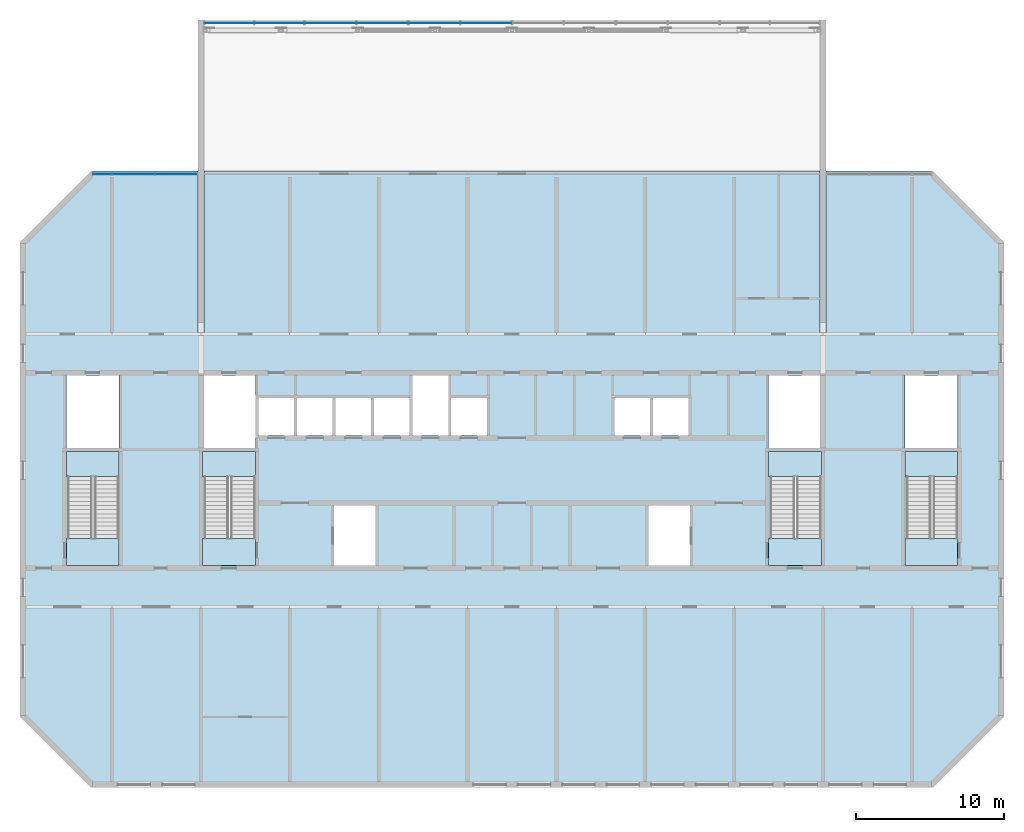
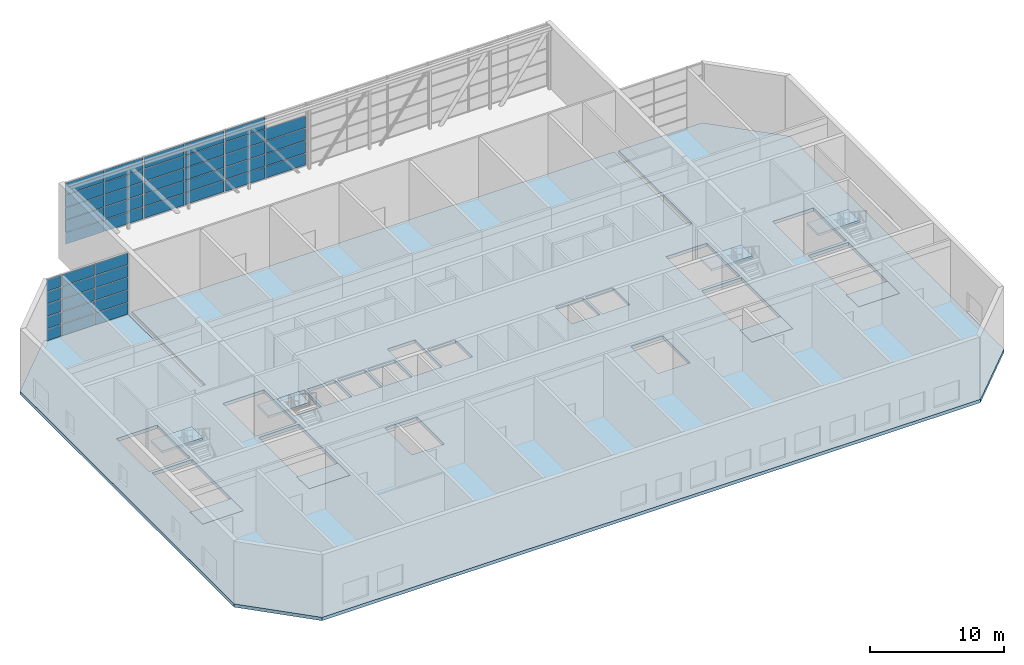
# One storey, part 6 of 17: 44 plates, 9 slabs, 9 elements without a shape of their own.
"""IFC4 building model written with IfcOpenShell, lengths in metres."""

from ifc_helpers import new_model, si_unit, direction, frame, origin, origin_2d, place, context, subcontext, project, spatial, polyline, rectangle, outline, extrude, source, transform, mapped, material, layer, layer_set, type_object, element, aggregate, save


model = new_model("IFC4")

# Units and contexts
model_context = context("Model", 3, precision=1e-05, world=origin(), true_north=direction((0.0, 1.0)))
body_context = subcontext(model_context, "Body", "Model", "MODEL_VIEW")
ifc_project = project(units=[si_unit("LENGTHUNIT", "METRE"), si_unit("AREAUNIT", "SQUARE_METRE"), si_unit("VOLUMEUNIT", "CUBIC_METRE"), si_unit("PLANEANGLEUNIT", "RADIAN"), si_unit("MASSUNIT", "GRAM", prefix="KILO")], contexts=[model_context])

# Site, building, storey
site_placement = place(None, origin())
site = spatial("IfcSite", under=ifc_project, at=site_placement, CompositionType="ELEMENT")
building_placement = place(site_placement, origin())
building = spatial("IfcBuilding", under=site, at=building_placement, Name="Poui Terraces", CompositionType="ELEMENT")
storey_placement = place(building_placement, frame((0.0, 0.0, 261.0)))
storey = spatial("IfcBuildingStorey", under=building, at=storey_placement, Name="L73", CompositionType="ELEMENT", Elevation=261.0)

# Curtain wall, plates
ifc_material_1 = material(Name="Clear glass", Category="glass")
ifc_layer_1 = layer(ifc_material_1, 0.219970703125)
ifc_layer_set_1 = layer_set([ifc_layer_1], Name="Clear glass")
curtain_wall_type = type_object("IfcCurtainWallType", Name="CURTAIN WALL CW-E SKY LOUNGE GLAZING", PredefinedType="NOTDEFINED", material=ifc_layer_set_1)
curtain_wall_1_placement = place(storey_placement, origin())
curtain_wall_1 = element("IfcCurtainWall", 1, at=curtain_wall_1_placement, inside=storey, type_object=curtain_wall_type, Name="CW-E SKY LOUNGE GLAZING", PredefinedType="NOTDEFINED")
ifc_layer_2 = layer(ifc_material_1, 0.035888671875)
ifc_layer_set_2 = layer_set([ifc_layer_2], Name="Clear glass")
plate_type_1 = type_object("IfcPlateType", Name="CW-E GLASS PANEL 36", PredefinedType="CURTAIN_PANEL", material=ifc_layer_set_2)
plate_1_placement = place(storey_placement, frame((23.34130859375, 41.199951171875, 0.06005859375), z_axis=(0.0, 0.0, 1.0), x_axis=(-1.0, 0.0, 0.0)))
plate_1 = element("IfcPlate", 2, at=plate_1_placement, type_object=plate_type_1, Name="CW-E panel 1.1", PredefinedType="CURTAIN_PANEL", context=body_context, shape_type="SweptSolid", body=[
    extrude(rectangle(XDim=1.197265625, YDim=0.035888671875, at=origin_2d()), origin(), (0.0, 0.0, 1.0), 1.050048828125),
])
plate_2_placement = place(storey_placement, frame((23.34130859375, 41.199951171875, 1.169921875), z_axis=(0.0, 0.0, 1.0), x_axis=(-1.0, 0.0, 0.0)))
plate_2 = element("IfcPlate", 3, at=plate_2_placement, type_object=plate_type_1, Name="CW-E panel 1.2", PredefinedType="CURTAIN_PANEL", context=body_context, shape_type="SweptSolid", body=[
    extrude(rectangle(XDim=1.197265625, YDim=0.035888671875, at=origin_2d()), origin(), (0.0, 0.0, 1.0), 1.080078125),
])
plate_3_placement = place(storey_placement, frame((23.34130859375, 41.199951171875, 2.31005859375), z_axis=(0.0, 0.0, 1.0), x_axis=(-1.0, 0.0, 0.0)))
plate_3 = element("IfcPlate", 4, at=plate_3_placement, type_object=plate_type_1, Name="CW-E panel 1.3", PredefinedType="CURTAIN_PANEL", context=body_context, shape_type="SweptSolid", body=[
    extrude(rectangle(XDim=1.197265625, YDim=0.035888671875, at=origin_2d()), origin(), (0.0, 0.0, 1.0), 1.080078125),
])
plate_4_placement = place(storey_placement, frame((23.34130859375, 41.199951171875, 3.449951171875), z_axis=(0.0, 0.0, 1.0), x_axis=(-1.0, 0.0, 0.0)))
plate_4 = element("IfcPlate", 5, at=plate_4_placement, type_object=plate_type_1, Name="CW-E panel 1.4", PredefinedType="CURTAIN_PANEL", context=body_context, shape_type="SweptSolid", body=[
    extrude(rectangle(XDim=1.197265625, YDim=0.035888671875, at=origin_2d()), origin(), (0.0, 0.0, 1.0), 1.080078125),
])
plate_5_placement = place(storey_placement, frame((23.34130859375, 41.199951171875, 4.58984375), z_axis=(0.0, 0.0, 1.0), x_axis=(-1.0, 0.0, 0.0)))
plate_5 = element("IfcPlate", 6, at=plate_5_placement, type_object=plate_type_1, Name="CW-E panel 1.5", PredefinedType="CURTAIN_PANEL", context=body_context, shape_type="SweptSolid", body=[
    extrude(rectangle(XDim=1.197265625, YDim=0.035888671875, at=origin_2d()), origin(), (0.0, 0.0, 1.0), 1.050048828125),
])
aggregate(curtain_wall_1, [plate_1, plate_2, plate_3, plate_4, plate_5])

curtain_wall_2_placement = place(storey_placement, origin())
curtain_wall_2 = element("IfcCurtainWall", 7, at=curtain_wall_2_placement, inside=storey, type_object=curtain_wall_type, Name="CW-E SKY LOUNGE GLAZING", PredefinedType="NOTDEFINED")
plate_6_placement = place(storey_placement, frame((28.3349609375, 41.199951171875, 0.06005859375), z_axis=(0.0, 0.0, 1.0), x_axis=(-1.0, 0.0, 0.0)))
plate_6 = element("IfcPlate", 8, at=plate_6_placement, type_object=plate_type_1, Name="CW-E panel 1.1", PredefinedType="CURTAIN_PANEL", context=body_context, shape_type="SweptSolid", body=[
    extrude(rectangle(XDim=2.81005859375, YDim=0.035888671875, at=origin_2d()), origin(), (0.0, 0.0, 1.0), 1.050048828125),
])
plate_7_placement = place(storey_placement, frame((28.3349609375, 41.199951171875, 1.169921875), z_axis=(0.0, 0.0, 1.0), x_axis=(-1.0, 0.0, 0.0)))
plate_7 = element("IfcPlate", 9, at=plate_7_placement, type_object=plate_type_1, Name="CW-E panel 1.2", PredefinedType="CURTAIN_PANEL", context=body_context, shape_type="SweptSolid", body=[
    extrude(rectangle(XDim=2.81005859375, YDim=0.035888671875, at=origin_2d()), origin(), (0.0, 0.0, 1.0), 1.080078125),
])
plate_8_placement = place(storey_placement, frame((28.3349609375, 41.199951171875, 2.31005859375), z_axis=(0.0, 0.0, 1.0), x_axis=(-1.0, 0.0, 0.0)))
plate_8 = element("IfcPlate", 10, at=plate_8_placement, type_object=plate_type_1, Name="CW-E panel 1.3", PredefinedType="CURTAIN_PANEL", context=body_context, shape_type="SweptSolid", body=[
    extrude(rectangle(XDim=2.81005859375, YDim=0.035888671875, at=origin_2d()), origin(), (0.0, 0.0, 1.0), 1.080078125),
])
plate_9_placement = place(storey_placement, frame((28.3349609375, 41.199951171875, 3.449951171875), z_axis=(0.0, 0.0, 1.0), x_axis=(-1.0, 0.0, 0.0)))
plate_9 = element("IfcPlate", 11, at=plate_9_placement, type_object=plate_type_1, Name="CW-E panel 1.4", PredefinedType="CURTAIN_PANEL", context=body_context, shape_type="SweptSolid", body=[
    extrude(rectangle(XDim=2.81005859375, YDim=0.035888671875, at=origin_2d()), origin(), (0.0, 0.0, 1.0), 1.080078125),
])
plate_10_placement = place(storey_placement, frame((28.3349609375, 41.199951171875, 4.58984375), z_axis=(0.0, 0.0, 1.0), x_axis=(-1.0, 0.0, 0.0)))
plate_10 = element("IfcPlate", 12, at=plate_10_placement, type_object=plate_type_1, Name="CW-E panel 1.5", PredefinedType="CURTAIN_PANEL", context=body_context, shape_type="SweptSolid", body=[
    extrude(rectangle(XDim=2.81005859375, YDim=0.035888671875, at=origin_2d()), origin(), (0.0, 0.0, 1.0), 1.050048828125),
])
plate_11_placement = place(storey_placement, frame((25.465087890625, 41.199951171875, 0.06005859375), z_axis=(0.0, 0.0, 1.0), x_axis=(-1.0, 0.0, 0.0)))
plate_11 = element("IfcPlate", 13, at=plate_11_placement, type_object=plate_type_1, Name="CW-E panel 2.1", PredefinedType="CURTAIN_PANEL", context=body_context, shape_type="SweptSolid", body=[
    extrude(rectangle(XDim=2.81005859375, YDim=0.035888671875, at=origin_2d()), origin(), (0.0, 0.0, 1.0), 1.050048828125),
])
plate_12_placement = place(storey_placement, frame((25.465087890625, 41.199951171875, 1.169921875), z_axis=(0.0, 0.0, 1.0), x_axis=(-1.0, 0.0, 0.0)))
plate_12 = element("IfcPlate", 14, at=plate_12_placement, type_object=plate_type_1, Name="CW-E panel 2.2", PredefinedType="CURTAIN_PANEL", context=body_context, shape_type="SweptSolid", body=[
    extrude(rectangle(XDim=2.81005859375, YDim=0.035888671875, at=origin_2d()), origin(), (0.0, 0.0, 1.0), 1.080078125),
])
plate_13_placement = place(storey_placement, frame((25.465087890625, 41.199951171875, 2.31005859375), z_axis=(0.0, 0.0, 1.0), x_axis=(-1.0, 0.0, 0.0)))
plate_13 = element("IfcPlate", 15, at=plate_13_placement, type_object=plate_type_1, Name="CW-E panel 2.3", PredefinedType="CURTAIN_PANEL", context=body_context, shape_type="SweptSolid", body=[
    extrude(rectangle(XDim=2.81005859375, YDim=0.035888671875, at=origin_2d()), origin(), (0.0, 0.0, 1.0), 1.080078125),
])
plate_14_placement = place(storey_placement, frame((25.465087890625, 41.199951171875, 3.449951171875), z_axis=(0.0, 0.0, 1.0), x_axis=(-1.0, 0.0, 0.0)))
plate_14 = element("IfcPlate", 16, at=plate_14_placement, type_object=plate_type_1, Name="CW-E panel 2.4", PredefinedType="CURTAIN_PANEL", context=body_context, shape_type="SweptSolid", body=[
    extrude(rectangle(XDim=2.81005859375, YDim=0.035888671875, at=origin_2d()), origin(), (0.0, 0.0, 1.0), 1.080078125),
])
plate_15_placement = place(storey_placement, frame((25.465087890625, 41.199951171875, 4.58984375), z_axis=(0.0, 0.0, 1.0), x_axis=(-1.0, 0.0, 0.0)))
plate_15 = element("IfcPlate", 17, at=plate_15_placement, type_object=plate_type_1, Name="CW-E panel 2.5", PredefinedType="CURTAIN_PANEL", context=body_context, shape_type="SweptSolid", body=[
    extrude(rectangle(XDim=2.81005859375, YDim=0.035888671875, at=origin_2d()), origin(), (0.0, 0.0, 1.0), 1.050048828125),
])
aggregate(curtain_wall_2, [plate_6, plate_7, plate_8, plate_9, plate_10, plate_11, plate_12, plate_13, plate_14, plate_15])

curtain_wall_3_placement = place(storey_placement, origin())
curtain_wall_3 = element("IfcCurtainWall", 18, at=curtain_wall_3_placement, inside=storey, type_object=curtain_wall_type, Name="CW-E SKY LOUNGE GLAZING", PredefinedType="NOTDEFINED")
plate_16_placement = place(storey_placement, frame((31.9150390625, 51.39990234375, 0.06005859375), z_axis=(0.0, 0.0, 1.0), x_axis=(1.0, 0.0, 0.0)))
plate_16 = element("IfcPlate", 19, at=plate_16_placement, type_object=plate_type_1, Name="CW-E panel 1.1", PredefinedType="CURTAIN_PANEL", context=body_context, shape_type="SweptSolid", body=[
    extrude(rectangle(XDim=3.31005859375, YDim=0.035888671875, at=origin_2d()), origin(), (0.0, 0.0, 1.0), 1.050048828125),
])
plate_17_placement = place(storey_placement, frame((35.284912109375, 51.39990234375, 1.169921875), z_axis=(0.0, 0.0, 1.0), x_axis=(1.0, 0.0, 0.0)))
plate_17 = element("IfcPlate", 20, at=plate_17_placement, type_object=plate_type_1, Name="CW-E panel 2.2", PredefinedType="CURTAIN_PANEL", context=body_context, shape_type="SweptSolid", body=[
    extrude(rectangle(XDim=3.31005859375, YDim=0.035888671875, at=origin_2d()), origin(), (0.0, 0.0, 1.0), 1.080078125),
])
plate_18_placement = place(storey_placement, frame((35.284912109375, 51.39990234375, 2.31005859375), z_axis=(0.0, 0.0, 1.0), x_axis=(1.0, 0.0, 0.0)))
plate_18 = element("IfcPlate", 21, at=plate_18_placement, type_object=plate_type_1, Name="CW-E panel 2.3", PredefinedType="CURTAIN_PANEL", context=body_context, shape_type="SweptSolid", body=[
    extrude(rectangle(XDim=3.31005859375, YDim=0.035888671875, at=origin_2d()), origin(), (0.0, 0.0, 1.0), 1.080078125),
])

curtain_wall_4_placement = place(storey_placement, origin())
curtain_wall_4 = element("IfcCurtainWall", 22, at=curtain_wall_4_placement, inside=storey, type_object=curtain_wall_type, Name="CW-E SKY LOUNGE GLAZING", PredefinedType="NOTDEFINED")
plate_19_placement = place(storey_placement, frame((38.764892578125, 51.39990234375, 3.449951171875), z_axis=(0.0, 0.0, 1.0), x_axis=(1.0, 0.0, 0.0)))
plate_19 = element("IfcPlate", 23, at=plate_19_placement, type_object=plate_type_1, Name="CW-E panel 1.4", PredefinedType="CURTAIN_PANEL", context=body_context, shape_type="SweptSolid", body=[
    extrude(rectangle(XDim=3.409912109375, YDim=0.035888671875, at=origin_2d()), origin(), (0.0, 0.0, 1.0), 1.080078125),
])
plate_20_placement = place(storey_placement, frame((38.764892578125, 51.39990234375, 4.58984375), z_axis=(0.0, 0.0, 1.0), x_axis=(1.0, 0.0, 0.0)))
plate_20 = element("IfcPlate", 24, at=plate_20_placement, type_object=plate_type_1, Name="CW-E panel 1.5", PredefinedType="CURTAIN_PANEL", context=body_context, shape_type="SweptSolid", body=[
    extrude(rectangle(XDim=3.409912109375, YDim=0.035888671875, at=origin_2d()), origin(), (0.0, 0.0, 1.0), 1.050048828125),
])
plate_21_placement = place(storey_placement, frame((42.235107421875, 51.39990234375, 0.06005859375), z_axis=(0.0, 0.0, 1.0), x_axis=(1.0, 0.0, 0.0)))
plate_21 = element("IfcPlate", 25, at=plate_21_placement, type_object=plate_type_1, Name="CW-E panel 2.1", PredefinedType="CURTAIN_PANEL", context=body_context, shape_type="SweptSolid", body=[
    extrude(rectangle(XDim=3.409912109375, YDim=0.035888671875, at=origin_2d()), origin(), (0.0, 0.0, 1.0), 1.050048828125),
])

curtain_wall_5_placement = place(storey_placement, origin())
curtain_wall_5 = element("IfcCurtainWall", 26, at=curtain_wall_5_placement, inside=storey, type_object=curtain_wall_type, Name="CW-E SKY LOUNGE GLAZING", PredefinedType="NOTDEFINED")
plate_22_placement = place(storey_placement, frame((45.764892578125, 51.39990234375, 1.169921875), z_axis=(0.0, 0.0, 1.0), x_axis=(1.0, 0.0, 0.0)))
plate_22 = element("IfcPlate", 27, at=plate_22_placement, type_object=plate_type_1, Name="CW-E panel 1.2", PredefinedType="CURTAIN_PANEL", context=body_context, shape_type="SweptSolid", body=[
    extrude(rectangle(XDim=3.409912109375, YDim=0.035888671875, at=origin_2d()), origin(), (0.0, 0.0, 1.0), 1.080078125),
])
plate_23_placement = place(storey_placement, frame((45.764892578125, 51.39990234375, 2.31005859375), z_axis=(0.0, 0.0, 1.0), x_axis=(1.0, 0.0, 0.0)))
plate_23 = element("IfcPlate", 28, at=plate_23_placement, type_object=plate_type_1, Name="CW-E panel 1.3", PredefinedType="CURTAIN_PANEL", context=body_context, shape_type="SweptSolid", body=[
    extrude(rectangle(XDim=3.409912109375, YDim=0.035888671875, at=origin_2d()), origin(), (0.0, 0.0, 1.0), 1.080078125),
])
plate_24_placement = place(storey_placement, frame((49.235107421875, 51.39990234375, 3.449951171875), z_axis=(0.0, 0.0, 1.0), x_axis=(1.0, 0.0, 0.0)))
plate_24 = element("IfcPlate", 29, at=plate_24_placement, type_object=plate_type_1, Name="CW-E panel 2.4", PredefinedType="CURTAIN_PANEL", context=body_context, shape_type="SweptSolid", body=[
    extrude(rectangle(XDim=3.409912109375, YDim=0.035888671875, at=origin_2d()), origin(), (0.0, 0.0, 1.0), 1.080078125),
])

# Plate
ifc_material_2 = material(Name="Insulated aluminium panel", Category="aluminium")
ifc_layer_3 = layer(ifc_material_2, 0.06005859375)
ifc_layer_set_3 = layer_set([ifc_layer_3], Name="Insulated aluminium panel")
plate_type_2 = type_object("IfcPlateType", Name="CW-E INSULATED PANEL 60", PredefinedType="CURTAIN_PANEL", material=ifc_layer_set_3)
plate_25_placement = place(storey_placement, frame((31.9150390625, 51.39990234375, 1.169921875), z_axis=(0.0, 0.0, 1.0), x_axis=(1.0, 0.0, 0.0)))
plate_25 = element("IfcPlate", 30, at=plate_25_placement, type_object=plate_type_2, Name="CW-E insulated panel 1.2", PredefinedType="CURTAIN_PANEL", context=body_context, shape_type="SweptSolid", body=[
    extrude(rectangle(XDim=3.31005859375, YDim=0.06005859375, at=origin_2d()), origin(), (0.0, 0.0, 1.0), 1.080078125),
])

plate_26_placement = place(storey_placement, frame((31.9150390625, 51.39990234375, 2.31005859375), z_axis=(0.0, 0.0, 1.0), x_axis=(1.0, 0.0, 0.0)))
plate_26 = element("IfcPlate", 31, at=plate_26_placement, type_object=plate_type_2, Name="CW-E insulated panel 1.3", PredefinedType="CURTAIN_PANEL", context=body_context, shape_type="SweptSolid", body=[
    extrude(rectangle(XDim=3.31005859375, YDim=0.06005859375, at=origin_2d()), origin(), (0.0, 0.0, 1.0), 1.080078125),
])

plate_27_placement = place(storey_placement, frame((31.9150390625, 51.39990234375, 3.449951171875), z_axis=(0.0, 0.0, 1.0), x_axis=(1.0, 0.0, 0.0)))
plate_27 = element("IfcPlate", 32, at=plate_27_placement, type_object=plate_type_2, Name="CW-E insulated panel 1.4", PredefinedType="CURTAIN_PANEL", context=body_context, shape_type="SweptSolid", body=[
    extrude(rectangle(XDim=3.31005859375, YDim=0.06005859375, at=origin_2d()), origin(), (0.0, 0.0, 1.0), 1.080078125),
])

plate_28_placement = place(storey_placement, frame((31.9150390625, 51.39990234375, 4.58984375), z_axis=(0.0, 0.0, 1.0), x_axis=(1.0, 0.0, 0.0)))
plate_28 = element("IfcPlate", 33, at=plate_28_placement, type_object=plate_type_2, Name="CW-E insulated panel 1.5", PredefinedType="CURTAIN_PANEL", context=body_context, shape_type="SweptSolid", body=[
    extrude(rectangle(XDim=3.31005859375, YDim=0.06005859375, at=origin_2d()), origin(), (0.0, 0.0, 1.0), 1.050048828125),
])

plate_29_placement = place(storey_placement, frame((35.284912109375, 51.39990234375, 0.06005859375), z_axis=(0.0, 0.0, 1.0), x_axis=(1.0, 0.0, 0.0)))
plate_29 = element("IfcPlate", 34, at=plate_29_placement, type_object=plate_type_2, Name="CW-E insulated panel 2.1", PredefinedType="CURTAIN_PANEL", context=body_context, shape_type="SweptSolid", body=[
    extrude(rectangle(XDim=3.31005859375, YDim=0.06005859375, at=origin_2d()), origin(), (0.0, 0.0, 1.0), 1.050048828125),
])

plate_30_placement = place(storey_placement, frame((35.284912109375, 51.39990234375, 3.449951171875), z_axis=(0.0, 0.0, 1.0), x_axis=(1.0, 0.0, 0.0)))
plate_30 = element("IfcPlate", 35, at=plate_30_placement, type_object=plate_type_2, Name="CW-E insulated panel 2.4", PredefinedType="CURTAIN_PANEL", context=body_context, shape_type="SweptSolid", body=[
    extrude(rectangle(XDim=3.31005859375, YDim=0.06005859375, at=origin_2d()), origin(), (0.0, 0.0, 1.0), 1.080078125),
])

plate_31_placement = place(storey_placement, frame((35.284912109375, 51.39990234375, 4.58984375), z_axis=(0.0, 0.0, 1.0), x_axis=(1.0, 0.0, 0.0)))
plate_31 = element("IfcPlate", 36, at=plate_31_placement, type_object=plate_type_2, Name="CW-E insulated panel 2.5", PredefinedType="CURTAIN_PANEL", context=body_context, shape_type="SweptSolid", body=[
    extrude(rectangle(XDim=3.31005859375, YDim=0.06005859375, at=origin_2d()), origin(), (0.0, 0.0, 1.0), 1.050048828125),
])

aggregate(curtain_wall_3, [plate_16, plate_25, plate_26, plate_27, plate_28, plate_29, plate_17, plate_18, plate_30, plate_31])

plate_32_placement = place(storey_placement, frame((38.764892578125, 51.39990234375, 0.06005859375), z_axis=(0.0, 0.0, 1.0), x_axis=(1.0, 0.0, 0.0)))
plate_32 = element("IfcPlate", 37, at=plate_32_placement, type_object=plate_type_2, Name="CW-E insulated panel 1.1", PredefinedType="CURTAIN_PANEL", context=body_context, shape_type="SweptSolid", body=[
    extrude(rectangle(XDim=3.409912109375, YDim=0.06005859375, at=origin_2d()), origin(), (0.0, 0.0, 1.0), 1.050048828125),
])

plate_33_placement = place(storey_placement, frame((38.764892578125, 51.39990234375, 1.169921875), z_axis=(0.0, 0.0, 1.0), x_axis=(1.0, 0.0, 0.0)))
plate_33 = element("IfcPlate", 38, at=plate_33_placement, type_object=plate_type_2, Name="CW-E insulated panel 1.2", PredefinedType="CURTAIN_PANEL", context=body_context, shape_type="SweptSolid", body=[
    extrude(rectangle(XDim=3.409912109375, YDim=0.06005859375, at=origin_2d()), origin(), (0.0, 0.0, 1.0), 1.080078125),
])

plate_34_placement = place(storey_placement, frame((38.764892578125, 51.39990234375, 2.31005859375), z_axis=(0.0, 0.0, 1.0), x_axis=(1.0, 0.0, 0.0)))
plate_34 = element("IfcPlate", 39, at=plate_34_placement, type_object=plate_type_2, Name="CW-E insulated panel 1.3", PredefinedType="CURTAIN_PANEL", context=body_context, shape_type="SweptSolid", body=[
    extrude(rectangle(XDim=3.409912109375, YDim=0.06005859375, at=origin_2d()), origin(), (0.0, 0.0, 1.0), 1.080078125),
])

plate_35_placement = place(storey_placement, frame((42.235107421875, 51.39990234375, 1.169921875), z_axis=(0.0, 0.0, 1.0), x_axis=(1.0, 0.0, 0.0)))
plate_35 = element("IfcPlate", 40, at=plate_35_placement, type_object=plate_type_2, Name="CW-E insulated panel 2.2", PredefinedType="CURTAIN_PANEL", context=body_context, shape_type="SweptSolid", body=[
    extrude(rectangle(XDim=3.409912109375, YDim=0.06005859375, at=origin_2d()), origin(), (0.0, 0.0, 1.0), 1.080078125),
])

plate_36_placement = place(storey_placement, frame((42.235107421875, 51.39990234375, 2.31005859375), z_axis=(0.0, 0.0, 1.0), x_axis=(1.0, 0.0, 0.0)))
plate_36 = element("IfcPlate", 41, at=plate_36_placement, type_object=plate_type_2, Name="CW-E insulated panel 2.3", PredefinedType="CURTAIN_PANEL", context=body_context, shape_type="SweptSolid", body=[
    extrude(rectangle(XDim=3.409912109375, YDim=0.06005859375, at=origin_2d()), origin(), (0.0, 0.0, 1.0), 1.080078125),
])

plate_37_placement = place(storey_placement, frame((42.235107421875, 51.39990234375, 3.449951171875), z_axis=(0.0, 0.0, 1.0), x_axis=(1.0, 0.0, 0.0)))
plate_37 = element("IfcPlate", 42, at=plate_37_placement, type_object=plate_type_2, Name="CW-E insulated panel 2.4", PredefinedType="CURTAIN_PANEL", context=body_context, shape_type="SweptSolid", body=[
    extrude(rectangle(XDim=3.409912109375, YDim=0.06005859375, at=origin_2d()), origin(), (0.0, 0.0, 1.0), 1.080078125),
])

plate_38_placement = place(storey_placement, frame((42.235107421875, 51.39990234375, 4.58984375), z_axis=(0.0, 0.0, 1.0), x_axis=(1.0, 0.0, 0.0)))
plate_38 = element("IfcPlate", 43, at=plate_38_placement, type_object=plate_type_2, Name="CW-E insulated panel 2.5", PredefinedType="CURTAIN_PANEL", context=body_context, shape_type="SweptSolid", body=[
    extrude(rectangle(XDim=3.409912109375, YDim=0.06005859375, at=origin_2d()), origin(), (0.0, 0.0, 1.0), 1.050048828125),
])

aggregate(curtain_wall_4, [plate_32, plate_33, plate_34, plate_19, plate_20, plate_21, plate_35, plate_36, plate_37, plate_38])

plate_39_placement = place(storey_placement, frame((45.764892578125, 51.39990234375, 0.06005859375), z_axis=(0.0, 0.0, 1.0), x_axis=(1.0, 0.0, 0.0)))
plate_39 = element("IfcPlate", 44, at=plate_39_placement, type_object=plate_type_2, Name="CW-E insulated panel 1.1", PredefinedType="CURTAIN_PANEL", context=body_context, shape_type="SweptSolid", body=[
    extrude(rectangle(XDim=3.409912109375, YDim=0.06005859375, at=origin_2d()), origin(), (0.0, 0.0, 1.0), 1.050048828125),
])

plate_40_placement = place(storey_placement, frame((45.764892578125, 51.39990234375, 3.449951171875), z_axis=(0.0, 0.0, 1.0), x_axis=(1.0, 0.0, 0.0)))
plate_40 = element("IfcPlate", 45, at=plate_40_placement, type_object=plate_type_2, Name="CW-E insulated panel 1.4", PredefinedType="CURTAIN_PANEL", context=body_context, shape_type="SweptSolid", body=[
    extrude(rectangle(XDim=3.409912109375, YDim=0.06005859375, at=origin_2d()), origin(), (0.0, 0.0, 1.0), 1.080078125),
])

plate_41_placement = place(storey_placement, frame((45.764892578125, 51.39990234375, 4.58984375), z_axis=(0.0, 0.0, 1.0), x_axis=(1.0, 0.0, 0.0)))
plate_41 = element("IfcPlate", 46, at=plate_41_placement, type_object=plate_type_2, Name="CW-E insulated panel 1.5", PredefinedType="CURTAIN_PANEL", context=body_context, shape_type="SweptSolid", body=[
    extrude(rectangle(XDim=3.409912109375, YDim=0.06005859375, at=origin_2d()), origin(), (0.0, 0.0, 1.0), 1.050048828125),
])

plate_42_placement = place(storey_placement, frame((49.235107421875, 51.39990234375, 0.06005859375), z_axis=(0.0, 0.0, 1.0), x_axis=(1.0, 0.0, 0.0)))
plate_42 = element("IfcPlate", 47, at=plate_42_placement, type_object=plate_type_2, Name="CW-E insulated panel 2.1", PredefinedType="CURTAIN_PANEL", context=body_context, shape_type="SweptSolid", body=[
    extrude(rectangle(XDim=3.409912109375, YDim=0.06005859375, at=origin_2d()), origin(), (0.0, 0.0, 1.0), 1.050048828125),
])

plate_43_placement = place(storey_placement, frame((49.235107421875, 51.39990234375, 1.169921875), z_axis=(0.0, 0.0, 1.0), x_axis=(1.0, 0.0, 0.0)))
plate_43 = element("IfcPlate", 48, at=plate_43_placement, type_object=plate_type_2, Name="CW-E insulated panel 2.2", PredefinedType="CURTAIN_PANEL", context=body_context, shape_type="SweptSolid", body=[
    extrude(rectangle(XDim=3.409912109375, YDim=0.06005859375, at=origin_2d()), origin(), (0.0, 0.0, 1.0), 1.080078125),
])

plate_44_placement = place(storey_placement, frame((49.235107421875, 51.39990234375, 2.31005859375), z_axis=(0.0, 0.0, 1.0), x_axis=(1.0, 0.0, 0.0)))
plate_44 = element("IfcPlate", 49, at=plate_44_placement, type_object=plate_type_2, Name="CW-E insulated panel 2.3", PredefinedType="CURTAIN_PANEL", context=body_context, shape_type="SweptSolid", body=[
    extrude(rectangle(XDim=3.409912109375, YDim=0.06005859375, at=origin_2d()), origin(), (0.0, 0.0, 1.0), 1.080078125),
])

aggregate(curtain_wall_5, [plate_39, plate_22, plate_23, plate_40, plate_41, plate_42, plate_43, plate_44, plate_24])

# Stair, slabs
ifc_material_3 = material(Name="Concrete 50 MPa", Category="concrete")
stair_type = type_object("IfcStairType", Name="EXIT STAIR 1650 50 MPA", PredefinedType="HALF_TURN_STAIR", material=ifc_material_3)
stair_1_placement = place(storey_placement, origin())
stair_1 = element("IfcStair", 50, at=stair_1_placement, inside=storey, type_object=stair_type, Name="L73 CORE STAIR EAST", PredefinedType="HALF_TURN_STAIR")
ifc_layer_4 = layer(ifc_material_3, 0.199951171875)
ifc_layer_set_4 = layer_set([ifc_layer_4], Name="Concrete 50 MPa")
slab_type_1 = type_object("IfcSlabType", Name="STAIR LANDING 200 50 MPA", PredefinedType="LANDING", material=ifc_layer_set_4)
slab_1_placement = place(storey_placement, frame((0.0, 0.0, 2.7998046875)))
slab_1 = element("IfcSlab", 51, at=slab_1_placement, type_object=slab_type_1, Name="ST-CE landing 1", PredefinedType="LANDING", context=body_context, shape_type="SweptSolid", body=[
    extrude(outline(polyline([(68.324951171875, 20.800048828125), (71.875, 20.800048828125), (71.875, 22.47509765625), (68.324951171875, 22.47509765625), (68.324951171875, 20.800048828125)])), origin(), (0.0, 0.0, 1.0), 0.2001953125),
])
slab_2_placement = place(storey_placement, frame((0.0, 0.0, -0.2001953125)))
slab_2 = element("IfcSlab", 52, at=slab_2_placement, type_object=slab_type_1, Name="ST-CE landing 2", PredefinedType="LANDING", context=body_context, shape_type="SweptSolid", body=[
    extrude(outline(polyline([(68.324951171875, 14.77490234375), (71.875, 14.77490234375), (71.875, 16.60009765625), (68.324951171875, 16.60009765625), (68.324951171875, 14.77490234375)])), origin(), (0.0, 0.0, 1.0), 0.2001953125),
])
aggregate(stair_1, [slab_1, slab_2])

stair_2_placement = place(storey_placement, origin())
stair_2 = element("IfcStair", 53, at=stair_2_placement, inside=storey, type_object=stair_type, Name="L73 CORE STAIR WEST", PredefinedType="HALF_TURN_STAIR")
slab_3_placement = place(storey_placement, frame((0.0, 0.0, 2.7998046875)))
slab_3 = element("IfcSlab", 54, at=slab_3_placement, type_object=slab_type_1, Name="ST-CW landing 1", PredefinedType="LANDING", context=body_context, shape_type="SweptSolid", body=[
    extrude(outline(polyline([(30.125, 20.800048828125), (33.675048828125, 20.800048828125), (33.675048828125, 22.47509765625), (30.125, 22.47509765625), (30.125, 20.800048828125)])), origin(), (0.0, 0.0, 1.0), 0.2001953125),
])
slab_4_placement = place(storey_placement, frame((0.0, 0.0, -0.2001953125)))
slab_4 = element("IfcSlab", 55, at=slab_4_placement, type_object=slab_type_1, Name="ST-CW landing 2", PredefinedType="LANDING", context=body_context, shape_type="SweptSolid", body=[
    extrude(outline(polyline([(30.125, 14.77490234375), (33.675048828125, 14.77490234375), (33.675048828125, 16.60009765625), (30.125, 16.60009765625), (30.125, 14.77490234375)])), origin(), (0.0, 0.0, 1.0), 0.2001953125),
])
aggregate(stair_2, [slab_3, slab_4])

stair_3_placement = place(storey_placement, origin())
stair_3 = element("IfcStair", 56, at=stair_3_placement, inside=storey, type_object=stair_type, Name="L73 TIP STAIR EAST", PredefinedType="HALF_TURN_STAIR")
slab_5_placement = place(storey_placement, frame((0.0, 0.0, 2.7998046875)))
slab_5 = element("IfcSlab", 57, at=slab_5_placement, type_object=slab_type_1, Name="ST-E landing 1", PredefinedType="LANDING", context=body_context, shape_type="SweptSolid", body=[
    extrude(outline(polyline([(77.52490234375, 20.800048828125), (81.074951171875, 20.800048828125), (81.074951171875, 22.47509765625), (77.52490234375, 22.47509765625), (77.52490234375, 20.800048828125)])), origin(), (0.0, 0.0, 1.0), 0.2001953125),
])
slab_6_placement = place(storey_placement, frame((0.0, 0.0, -0.2001953125)))
slab_6 = element("IfcSlab", 58, at=slab_6_placement, type_object=slab_type_1, Name="ST-E landing 2", PredefinedType="LANDING", context=body_context, shape_type="SweptSolid", body=[
    extrude(outline(polyline([(77.52490234375, 14.77490234375), (81.074951171875, 14.77490234375), (81.074951171875, 16.60009765625), (77.52490234375, 16.60009765625), (77.52490234375, 14.77490234375)])), origin(), (0.0, 0.0, 1.0), 0.2001953125),
])
aggregate(stair_3, [slab_5, slab_6])

stair_4_placement = place(storey_placement, origin())
stair_4 = element("IfcStair", 59, at=stair_4_placement, inside=storey, type_object=stair_type, Name="L73 TIP STAIR WEST", PredefinedType="HALF_TURN_STAIR")
slab_7_placement = place(storey_placement, frame((0.0, 0.0, 2.7998046875)))
slab_7 = element("IfcSlab", 60, at=slab_7_placement, type_object=slab_type_1, Name="ST-W landing 1", PredefinedType="LANDING", context=body_context, shape_type="SweptSolid", body=[
    extrude(outline(polyline([(20.925048828125, 20.800048828125), (24.47509765625, 20.800048828125), (24.47509765625, 22.47509765625), (20.925048828125, 22.47509765625), (20.925048828125, 20.800048828125)])), origin(), (0.0, 0.0, 1.0), 0.2001953125),
])
slab_8_placement = place(storey_placement, frame((0.0, 0.0, -0.2001953125)))
slab_8 = element("IfcSlab", 61, at=slab_8_placement, type_object=slab_type_1, Name="ST-W landing 2", PredefinedType="LANDING", context=body_context, shape_type="SweptSolid", body=[
    extrude(outline(polyline([(20.925048828125, 14.77490234375), (24.47509765625, 14.77490234375), (24.47509765625, 16.60009765625), (20.925048828125, 16.60009765625), (20.925048828125, 14.77490234375)])), origin(), (0.0, 0.0, 1.0), 0.2001953125),
])
aggregate(stair_4, [slab_7, slab_8])

# Slab
ifc_material_4 = material(Name="Concrete 40 MPa", Category="concrete")
ifc_layer_5 = layer(ifc_material_4, 0.300048828125)
ifc_layer_set_5 = layer_set([ifc_layer_5], Name="Concrete 40 MPa")
slab_type_2 = type_object("IfcSlabType", Name="FLOOR SLAB 300", PredefinedType="FLOOR", material=ifc_layer_set_5)
shared_shape = source(origin(), body_context, "Body", "SweptSolid", [
    extrude(outline(polyline([(0.0, 0.0), (-7.199951171875, 0.0), (-7.199951171875, -11.0), (-7.599853515625, -11.0), (-7.599853515625, 0.0), (-49.199951171875, 0.0), (-49.199951171875, -11.0), (-49.599853515625, -11.0), (-49.599853515625, 0.0), (-56.7998046875, 0.0), (-61.599853515625, -4.7998046875), (-61.599853515625, -36.7998046875), (-56.7998046875, -41.599853515625), (0.0, -41.599853515625), (4.800048828125, -36.7998046875), (4.800048828125, -4.7998046875), (0.0, 0.0)]), holes=[polyline([(-40.39990234375, -26.625), (-40.39990234375, -22.574951171875), (-37.599853515625, -22.574951171875), (-37.599853515625, -26.625), (-40.39990234375, -26.625)]), polyline([(-58.375, -18.949951171875), (-54.9248046875, -18.949951171875), (-54.9248046875, -24.7998046875), (-54.9248046875, -26.625), (-58.474853515625, -26.625), (-58.474853515625, -24.7998046875), (-58.375, -24.7998046875), (-58.375, -18.949951171875)]), polyline([(-49.1748046875, -18.949951171875), (-45.724853515625, -18.949951171875), (-45.724853515625, -24.7998046875), (-45.724853515625, -26.625), (-49.27490234375, -26.625), (-49.27490234375, -24.7998046875), (-49.1748046875, -24.7998046875), (-49.1748046875, -18.949951171875)]), polyline([(-45.5, -15.2998046875), (-43.099853515625, -15.2998046875), (-43.099853515625, -17.824951171875), (-45.5, -17.824951171875), (-45.5, -15.2998046875)]), polyline([(-42.89990234375, -15.2998046875), (-40.5, -15.2998046875), (-40.5, -17.824951171875), (-42.89990234375, -17.824951171875), (-42.89990234375, -15.2998046875)]), polyline([(-40.2998046875, -17.824951171875), (-40.2998046875, -15.2998046875), (-37.89990234375, -15.2998046875), (-37.89990234375, -17.824951171875), (-40.2998046875, -17.824951171875)]), polyline([(-37.699951171875, -17.824951171875), (-37.699951171875, -15.2998046875), (-35.2998046875, -15.2998046875), (-35.2998046875, -17.824951171875), (-37.699951171875, -17.824951171875)]), polyline([(-58.474853515625, -18.6748046875), (-58.474853515625, -13.77490234375), (-54.9248046875, -13.77490234375), (-54.9248046875, -18.6748046875), (-58.474853515625, -18.6748046875)]), polyline([(-49.27490234375, -13.77490234375), (-45.724853515625, -13.77490234375), (-45.724853515625, -18.6748046875), (-49.27490234375, -18.6748046875), (-49.27490234375, -13.77490234375)]), polyline([(-19.199951171875, -26.625), (-19.199951171875, -22.574951171875), (-16.39990234375, -22.574951171875), (-16.39990234375, -26.625), (-19.199951171875, -26.625)]), polyline([(-10.974853515625, -18.949951171875), (-7.52490234375, -18.949951171875), (-7.52490234375, -24.7998046875), (-7.52490234375, -26.625), (-11.074951171875, -26.625), (-11.074951171875, -24.7998046875), (-10.974853515625, -24.7998046875), (-10.974853515625, -18.949951171875)]), polyline([(-1.77490234375, -18.949951171875), (1.675048828125, -18.949951171875), (1.675048828125, -24.7998046875), (1.675048828125, -26.625), (-1.875, -26.625), (-1.875, -24.7998046875), (-1.77490234375, -24.7998046875), (-1.77490234375, -18.949951171875)]), polyline([(-32.5, -15.2998046875), (-30.099853515625, -15.2998046875), (-30.099853515625, -17.824951171875), (-32.5, -17.824951171875), (-32.5, -15.2998046875)]), polyline([(-21.5, -15.2998046875), (-19.099853515625, -15.2998046875), (-19.099853515625, -17.824951171875), (-21.5, -17.824951171875), (-21.5, -15.2998046875)]), polyline([(-18.89990234375, -17.824951171875), (-18.89990234375, -15.2998046875), (-16.5, -15.2998046875), (-16.5, -17.824951171875), (-18.89990234375, -17.824951171875)]), polyline([(-11.074951171875, -18.6748046875), (-11.074951171875, -13.77490234375), (-7.52490234375, -13.77490234375), (-7.52490234375, -18.6748046875), (-11.074951171875, -18.6748046875)]), polyline([(-1.875, -18.6748046875), (-1.875, -13.77490234375), (1.675048828125, -13.77490234375), (1.675048828125, -18.6748046875), (-1.875, -18.6748046875)]), polyline([(-35.099853515625, -13.77490234375), (-32.699951171875, -13.77490234375), (-32.699951171875, -17.824951171875), (-35.099853515625, -17.824951171875), (-35.099853515625, -13.77490234375)])]), origin(), (0.0, 0.0, 1.0), 0.300048828125),
])
slab_9_placement = place(storey_placement, frame((79.39990234375, 41.39990234375, -0.300048828125)))
element("IfcSlab", 62, at=slab_9_placement, inside=storey, type_object=slab_type_2, Name="FLOOR SLAB", PredefinedType="FLOOR", context=body_context, shape_type="MappedRepresentation", body=[
    mapped(shared_shape, transform((0.0, 0.0, 0.0))),
])

save(model, "model.ifc")
